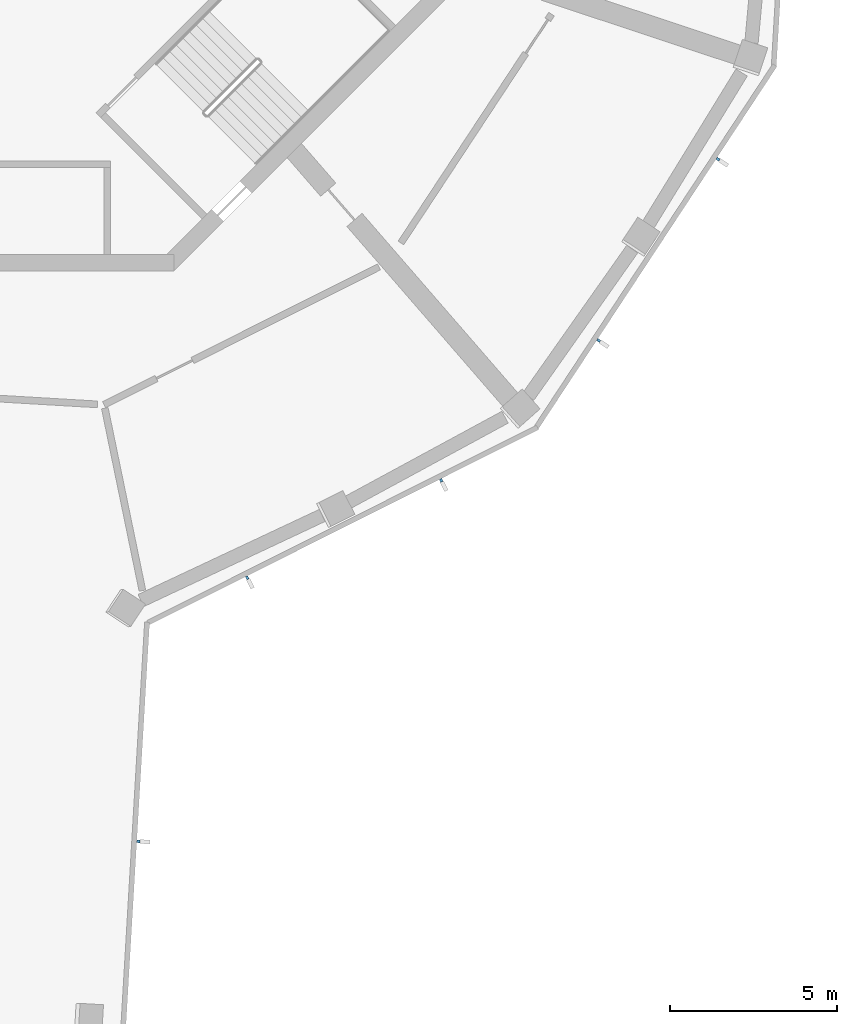
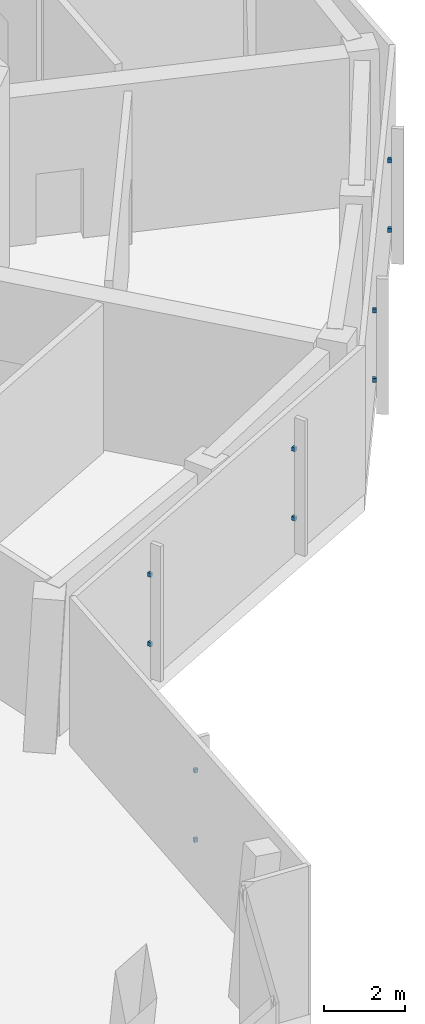
# One storey, part 6 of 16: 10 discrete accessories.
"""IFC4 building model written with IfcOpenShell, lengths in metres."""

from ifc_helpers import new_model, si_unit, direction, frame, origin, origin_2d, place, context, subcontext, project, spatial, rectangle, extrude, element, save


model = new_model("IFC4")

# Units and contexts
model_context = context("Model", 3, precision=1e-05, world=origin(), true_north=direction((0.0, 1.0)))
body_context = subcontext(model_context, "Body", "Model", "MODEL_VIEW")
ifc_project = project(units=[si_unit("LENGTHUNIT", "METRE"), si_unit("AREAUNIT", "SQUARE_METRE"), si_unit("VOLUMEUNIT", "CUBIC_METRE"), si_unit("PLANEANGLEUNIT", "RADIAN"), si_unit("MASSUNIT", "GRAM", prefix="KILO")], contexts=[model_context])

# Site, building, storey
site_placement = place(None, origin())
site = spatial("IfcSite", under=ifc_project, at=site_placement, CompositionType="ELEMENT")
building_placement = place(site_placement, origin())
building = spatial("IfcBuilding", under=site, at=building_placement, Name="Verdalira Terraces Hotel", CompositionType="ELEMENT")
storey_placement = place(building_placement, frame((0.0, 0.0, 263.0)))
storey = spatial("IfcBuildingStorey", under=building, at=storey_placement, Name="L65", CompositionType="ELEMENT", Elevation=263.0)

# Discrete accessories
for number, where, z_axis, x_axis, name in (
    (1, (4.736572, -31.081787, 1.139893), (0.0, 0.0, 1.0), (0.058609456, 0.998280988, 0.0), "Fin bracket"),
    (2, (4.736572, -31.081787, 3.23999), (0.0, 0.0, 1.0), (0.058609456, 0.998280988, 0.0), "Fin bracket"),
    (3, (7.994385, -23.185059, 1.139893), (0.0, 0.0, 1.0), (0.893841424, 0.448383216, 0.0), "Fin bracket"),
    (4, (7.994385, -23.185059, 3.23999), (0.0, 0.0, 1.0), (0.893841424, 0.448383216, 0.0), "Fin bracket"),
    (5, (13.804443, -20.270508, 1.139893), (0.0, 0.0, 1.0), (0.893841424, 0.448383216, 0.0), "Fin bracket"),
    (6, (13.804443, -20.270508, 3.23999), (0.0, 0.0, 1.0), (0.893841424, 0.448383216, 0.0), "Fin bracket"),
    (7, (18.515869, -16.081543, 1.139893), (0.0, 0.0, 1.0), (0.549897772, 0.835231968, 0.0), "Fin bracket"),
    (8, (18.515869, -16.081543, 3.23999), (0.0, 0.0, 1.0), (0.549897772, 0.835231968, 0.0), "Fin bracket"),
    (9, (22.090332, -10.652588, 1.139893), (0.0, 0.0, 1.0), (0.549897772, 0.835231968, 0.0), "Fin bracket"),
    (10, (22.090332, -10.652588, 3.23999), (0.0, 0.0, 1.0), (0.549897772, 0.835231968, 0.0), "Fin bracket"),
):
    element("IfcDiscreteAccessory", number, at=place(storey_placement, frame(where, z_axis=z_axis, x_axis=x_axis)), inside=storey, Name=name, PredefinedType="BRACKET", context=body_context, shape_type="SweptSolid", body=[
        extrude(rectangle(XDim=0.080078, YDim=0.100098, at=origin_2d()), origin(), (0.0, 0.0, 1.0), 0.120117),
    ])

save(model, "model.ifc")
